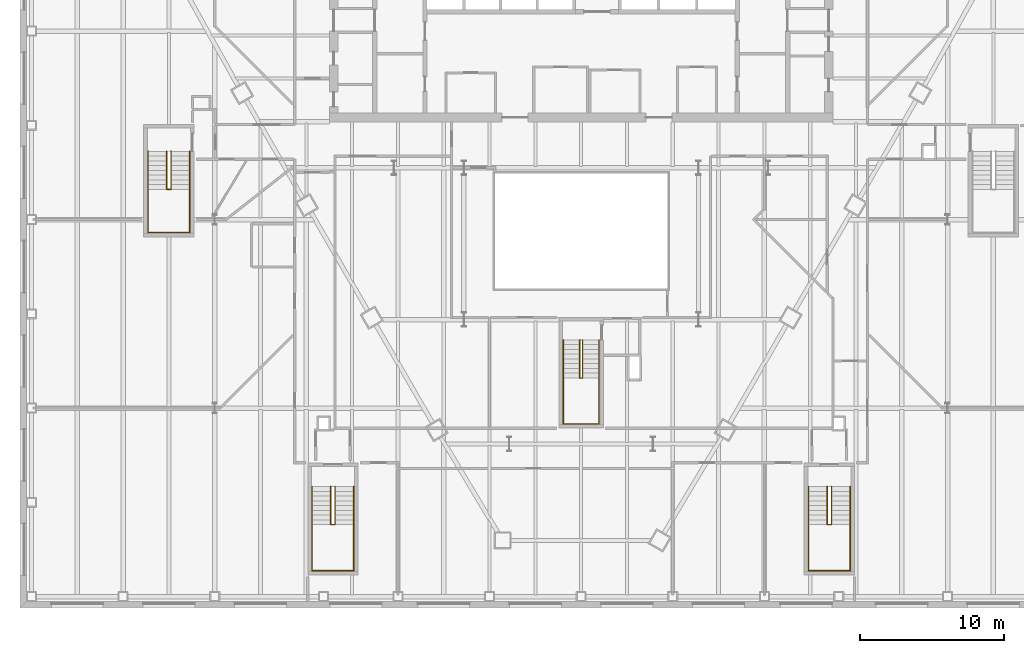
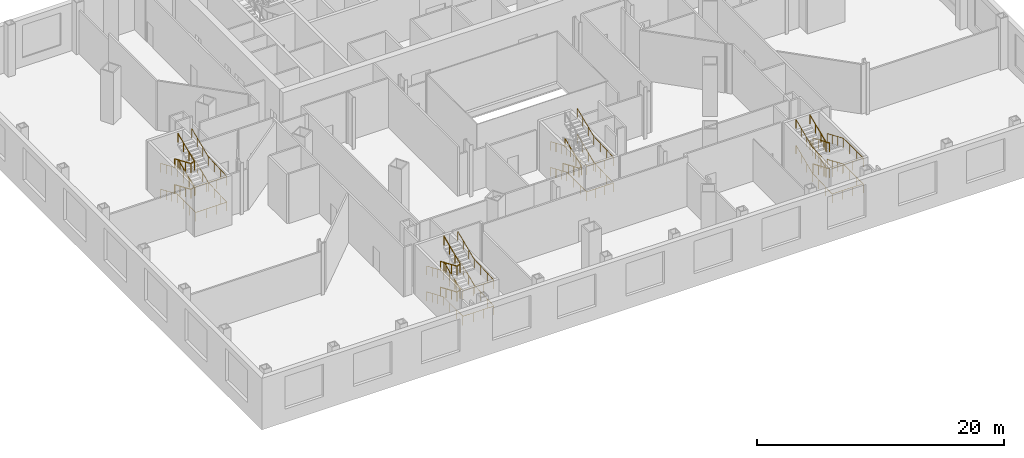
# One storey, part 20 of 21: 15 railings.
"""IFC4 building model written with IfcOpenShell, lengths in metres."""

from ifc_helpers import new_model, si_unit, direction, frame, origin, origin_2d, place, context, subcontext, project, spatial, circle, extrude, material, type_object, element, save


model = new_model("IFC4")

# Units and contexts
model_context = context("Model", 3, precision=1e-05, world=origin(), true_north=direction((0.0, 1.0)))
body_context = subcontext(model_context, "Body", "Model", "MODEL_VIEW")
ifc_project = project(units=[si_unit("LENGTHUNIT", "METRE"), si_unit("AREAUNIT", "SQUARE_METRE"), si_unit("VOLUMEUNIT", "CUBIC_METRE"), si_unit("PLANEANGLEUNIT", "RADIAN"), si_unit("MASSUNIT", "GRAM", prefix="KILO")], contexts=[model_context])

# Site, building, storey
site_placement = place(None, origin())
site = spatial("IfcSite", under=ifc_project, at=site_placement, CompositionType="ELEMENT")
building_placement = place(site_placement, origin())
building = spatial("IfcBuilding", under=site, at=building_placement, Name="Njiva Tower", CompositionType="ELEMENT")
storey_placement = place(building_placement, frame((0.0, 0.0, 13.5)))
storey = spatial("IfcBuildingStorey", under=building, at=storey_placement, Name="L02", CompositionType="ELEMENT", Elevation=13.5)

# Railings
ifc_material = material(Name="Stainless steel", Category="steel")
railing_type = type_object("IfcRailingType", Name="RL1 Stair handrail 900", PredefinedType="HANDRAIL", material=ifc_material)
railing_1_placement = place(storey_placement, frame((-1.25, -15.16, 0.1417)))
element("IfcRailing", 1, at=railing_1_placement, inside=storey, type_object=railing_type, Name="Stair C handrail", PredefinedType="HANDRAIL", context=body_context, shape_type="SweptSolid", body=[
    extrude(circle(Radius=0.024, at=origin_2d()), frame((0.0, 0.0, 0.876), z_axis=(0.0, -0.918909016762, 0.394469541173), x_axis=(1.0, 0.0, 0.0)), (0.0, 0.0, 1.0), 2.873),
    extrude(circle(Radius=0.024, at=origin_2d()), frame((0.0, -2.64, 2.0093), z_axis=(0.0, -1.0, 0.0), x_axis=(1.0, 0.0, 0.0)), (0.0, 0.0, 1.0), 3.2),
    extrude(circle(Radius=0.024, at=origin_2d()), frame((0.0, -5.84, 2.0093), z_axis=(1.0, 0.0, 0.0), x_axis=(0.0, 1.0, 0.0)), (0.0, 0.0, 1.0), 2.5),
    extrude(circle(Radius=0.024, at=origin_2d()), frame((2.5, -5.84, 2.0093), z_axis=(0.0, 0.999021024916, 0.04423789976), x_axis=(-1.0, 0.0, 0.0)), (0.0, 0.0, 1.0), 3.2031),
    extrude(circle(Radius=0.024, at=origin_2d()), frame((2.5, -2.64, 2.151), z_axis=(0.0, 0.918909016762, 0.394469541173), x_axis=(-1.0, 0.0, 0.0)), (0.0, 0.0, 1.0), 2.873),
    extrude(circle(Radius=0.021, at=origin_2d()), origin(), (0.0, 0.0, 1.0), 0.852),
    extrude(circle(Radius=0.021, at=origin_2d()), frame((0.0, -0.88, 0.3778)), (0.0, 0.0, 1.0), 0.852),
    extrude(circle(Radius=0.021, at=origin_2d()), frame((0.0, -1.76, 0.7555)), (0.0, 0.0, 1.0), 0.852),
    extrude(circle(Radius=0.021, at=origin_2d()), frame((0.0, -2.64, 1.1333)), (0.0, 0.0, 1.0), 0.852),
    extrude(circle(Radius=0.021, at=origin_2d()), frame((0.0, -3.7067, 1.1333)), (0.0, 0.0, 1.0), 0.852),
    extrude(circle(Radius=0.021, at=origin_2d()), frame((0.0, -4.7733, 1.1333)), (0.0, 0.0, 1.0), 0.852),
    extrude(circle(Radius=0.021, at=origin_2d()), frame((0.0, -5.84, 1.1333)), (0.0, 0.0, 1.0), 0.852),
    extrude(circle(Radius=0.021, at=origin_2d()), frame((0.8333, -5.84, 1.1333)), (0.0, 0.0, 1.0), 0.852),
    extrude(circle(Radius=0.021, at=origin_2d()), frame((1.6667, -5.84, 1.1333)), (0.0, 0.0, 1.0), 0.852),
    extrude(circle(Radius=0.021, at=origin_2d()), frame((2.5, -5.84, 1.1333)), (0.0, 0.0, 1.0), 0.852),
    extrude(circle(Radius=0.021, at=origin_2d()), frame((2.5, -4.7733, 1.1805)), (0.0, 0.0, 1.0), 0.852),
    extrude(circle(Radius=0.021, at=origin_2d()), frame((2.5, -3.7067, 1.2278)), (0.0, 0.0, 1.0), 0.852),
    extrude(circle(Radius=0.021, at=origin_2d()), frame((2.5, -2.64, 1.275)), (0.0, 0.0, 1.0), 0.852),
    extrude(circle(Radius=0.021, at=origin_2d()), frame((2.5, -1.76, 1.6528)), (0.0, 0.0, 1.0), 0.852),
    extrude(circle(Radius=0.021, at=origin_2d()), frame((2.5, -0.88, 2.0305)), (0.0, 0.0, 1.0), 0.852),
    extrude(circle(Radius=0.021, at=origin_2d()), frame((2.5, 0.0, 2.4083)), (0.0, 0.0, 1.0), 0.852),
])
railing_2_placement = place(storey_placement, frame((-0.1, -15.16, 0.1417)))
element("IfcRailing", 2, at=railing_2_placement, inside=storey, type_object=railing_type, Name="Stair C handrail", PredefinedType="HANDRAIL", context=body_context, shape_type="SweptSolid", body=[
    extrude(circle(Radius=0.024, at=origin_2d()), frame((0.0, 0.0, 0.876), z_axis=(0.0, -0.918909016762, 0.394469541173), x_axis=(1.0, 0.0, 0.0)), (0.0, 0.0, 1.0), 2.873),
    extrude(circle(Radius=0.024, at=origin_2d()), frame((0.0, -2.64, 2.0093), z_axis=(0.815960331218, 0.0, 0.578107894668), x_axis=(0.0, 1.0, 0.0)), (0.0, 0.0, 1.0), 0.2451),
    extrude(circle(Radius=0.024, at=origin_2d()), frame((0.2, -2.64, 2.151), z_axis=(0.0, 0.918909016762, 0.394469541173), x_axis=(-1.0, 0.0, 0.0)), (0.0, 0.0, 1.0), 2.873),
    extrude(circle(Radius=0.021, at=origin_2d()), origin(), (0.0, 0.0, 1.0), 0.852),
    extrude(circle(Radius=0.021, at=origin_2d()), frame((0.0, -0.88, 0.3778)), (0.0, 0.0, 1.0), 0.852),
    extrude(circle(Radius=0.021, at=origin_2d()), frame((0.0, -1.76, 0.7555)), (0.0, 0.0, 1.0), 0.852),
    extrude(circle(Radius=0.021, at=origin_2d()), frame((0.0, -2.64, 1.1333)), (0.0, 0.0, 1.0), 0.852),
    extrude(circle(Radius=0.021, at=origin_2d()), frame((0.2, -2.64, 1.275)), (0.0, 0.0, 1.0), 0.852),
    extrude(circle(Radius=0.021, at=origin_2d()), frame((0.2, -1.76, 1.6528)), (0.0, 0.0, 1.0), 0.852),
    extrude(circle(Radius=0.021, at=origin_2d()), frame((0.2, -0.88, 2.0305)), (0.0, 0.0, 1.0), 0.852),
    extrude(circle(Radius=0.021, at=origin_2d()), frame((0.2, 0.0, 2.4083)), (0.0, 0.0, 1.0), 0.852),
])
railing_3_placement = place(storey_placement, frame((-1.25, -15.16, 2.6917)))
element("IfcRailing", 3, at=railing_3_placement, inside=storey, type_object=railing_type, Name="Stair C handrail", PredefinedType="HANDRAIL", context=body_context, shape_type="SweptSolid", body=[
    extrude(circle(Radius=0.024, at=origin_2d()), frame((0.0, 0.0, 0.876), z_axis=(0.0, -0.918909016762, 0.394469541173), x_axis=(1.0, 0.0, 0.0)), (0.0, 0.0, 1.0), 2.873),
    extrude(circle(Radius=0.024, at=origin_2d()), frame((0.0, -2.64, 2.0093), z_axis=(0.0, -1.0, 0.0), x_axis=(1.0, 0.0, 0.0)), (0.0, 0.0, 1.0), 3.2),
    extrude(circle(Radius=0.024, at=origin_2d()), frame((0.0, -5.84, 2.0093), z_axis=(1.0, 0.0, 0.0), x_axis=(0.0, 1.0, 0.0)), (0.0, 0.0, 1.0), 2.5),
    extrude(circle(Radius=0.024, at=origin_2d()), frame((2.5, -5.84, 2.0093), z_axis=(0.0, 0.999021024916, 0.04423789976), x_axis=(-1.0, 0.0, 0.0)), (0.0, 0.0, 1.0), 3.2031),
    extrude(circle(Radius=0.024, at=origin_2d()), frame((2.5, -2.64, 2.151), z_axis=(0.0, 0.918909016762, 0.394469541173), x_axis=(-1.0, 0.0, 0.0)), (0.0, 0.0, 1.0), 2.873),
    extrude(circle(Radius=0.021, at=origin_2d()), origin(), (0.0, 0.0, 1.0), 0.852),
    extrude(circle(Radius=0.021, at=origin_2d()), frame((0.0, -0.88, 0.3778)), (0.0, 0.0, 1.0), 0.852),
    extrude(circle(Radius=0.021, at=origin_2d()), frame((0.0, -1.76, 0.7555)), (0.0, 0.0, 1.0), 0.852),
    extrude(circle(Radius=0.021, at=origin_2d()), frame((0.0, -2.64, 1.1333)), (0.0, 0.0, 1.0), 0.852),
    extrude(circle(Radius=0.021, at=origin_2d()), frame((0.0, -3.7067, 1.1333)), (0.0, 0.0, 1.0), 0.852),
    extrude(circle(Radius=0.021, at=origin_2d()), frame((0.0, -4.7733, 1.1333)), (0.0, 0.0, 1.0), 0.852),
    extrude(circle(Radius=0.021, at=origin_2d()), frame((0.0, -5.84, 1.1333)), (0.0, 0.0, 1.0), 0.852),
    extrude(circle(Radius=0.021, at=origin_2d()), frame((0.8333, -5.84, 1.1333)), (0.0, 0.0, 1.0), 0.852),
    extrude(circle(Radius=0.021, at=origin_2d()), frame((1.6667, -5.84, 1.1333)), (0.0, 0.0, 1.0), 0.852),
    extrude(circle(Radius=0.021, at=origin_2d()), frame((2.5, -5.84, 1.1333)), (0.0, 0.0, 1.0), 0.852),
    extrude(circle(Radius=0.021, at=origin_2d()), frame((2.5, -4.7733, 1.1805)), (0.0, 0.0, 1.0), 0.852),
    extrude(circle(Radius=0.021, at=origin_2d()), frame((2.5, -3.7067, 1.2278)), (0.0, 0.0, 1.0), 0.852),
    extrude(circle(Radius=0.021, at=origin_2d()), frame((2.5, -2.64, 1.275)), (0.0, 0.0, 1.0), 0.852),
    extrude(circle(Radius=0.021, at=origin_2d()), frame((2.5, -1.76, 1.6528)), (0.0, 0.0, 1.0), 0.852),
    extrude(circle(Radius=0.021, at=origin_2d()), frame((2.5, -0.88, 2.0305)), (0.0, 0.0, 1.0), 0.852),
    extrude(circle(Radius=0.021, at=origin_2d()), frame((2.5, 0.0, 2.4083)), (0.0, 0.0, 1.0), 0.852),
])
railing_4_placement = place(storey_placement, frame((-18.7, -25.35, 0.1417)))
element("IfcRailing", 4, at=railing_4_placement, inside=storey, type_object=railing_type, Name="Stair D handrail", PredefinedType="HANDRAIL", context=body_context, shape_type="SweptSolid", body=[
    extrude(circle(Radius=0.024, at=origin_2d()), frame((0.0, 0.0, 0.876), z_axis=(0.0, -0.918909016762, 0.394469541173), x_axis=(1.0, 0.0, 0.0)), (0.0, 0.0, 1.0), 2.873),
    extrude(circle(Radius=0.024, at=origin_2d()), frame((0.0, -2.64, 2.0093), z_axis=(0.0, -1.0, 0.0), x_axis=(1.0, 0.0, 0.0)), (0.0, 0.0, 1.0), 3.21),
    extrude(circle(Radius=0.024, at=origin_2d()), frame((0.0, -5.85, 2.0093), z_axis=(1.0, 0.0, 0.0), x_axis=(0.0, 1.0, 0.0)), (0.0, 0.0, 1.0), 2.9),
    extrude(circle(Radius=0.024, at=origin_2d()), frame((2.9, -5.85, 2.0093), z_axis=(0.0, 0.999027106064, 0.04410035543), x_axis=(-1.0, 0.0, 0.0)), (0.0, 0.0, 1.0), 3.2131),
    extrude(circle(Radius=0.024, at=origin_2d()), frame((2.9, -2.64, 2.151), z_axis=(0.0, 0.918909016762, 0.394469541173), x_axis=(-1.0, 0.0, 0.0)), (0.0, 0.0, 1.0), 2.873),
    extrude(circle(Radius=0.021, at=origin_2d()), origin(), (0.0, 0.0, 1.0), 0.852),
    extrude(circle(Radius=0.021, at=origin_2d()), frame((0.0, -0.88, 0.3778)), (0.0, 0.0, 1.0), 0.852),
    extrude(circle(Radius=0.021, at=origin_2d()), frame((0.0, -1.76, 0.7555)), (0.0, 0.0, 1.0), 0.852),
    extrude(circle(Radius=0.021, at=origin_2d()), frame((0.0, -2.64, 1.1333)), (0.0, 0.0, 1.0), 0.852),
    extrude(circle(Radius=0.021, at=origin_2d()), frame((0.0, -3.71, 1.1333)), (0.0, 0.0, 1.0), 0.852),
    extrude(circle(Radius=0.021, at=origin_2d()), frame((0.0, -4.78, 1.1333)), (0.0, 0.0, 1.0), 0.852),
    extrude(circle(Radius=0.021, at=origin_2d()), frame((0.0, -5.85, 1.1333)), (0.0, 0.0, 1.0), 0.852),
    extrude(circle(Radius=0.021, at=origin_2d()), frame((0.9667, -5.85, 1.1333)), (0.0, 0.0, 1.0), 0.852),
    extrude(circle(Radius=0.021, at=origin_2d()), frame((1.9333, -5.85, 1.1333)), (0.0, 0.0, 1.0), 0.852),
    extrude(circle(Radius=0.021, at=origin_2d()), frame((2.9, -5.85, 1.1333)), (0.0, 0.0, 1.0), 0.852),
    extrude(circle(Radius=0.021, at=origin_2d()), frame((2.9, -4.78, 1.1805)), (0.0, 0.0, 1.0), 0.852),
    extrude(circle(Radius=0.021, at=origin_2d()), frame((2.9, -3.71, 1.2278)), (0.0, 0.0, 1.0), 0.852),
    extrude(circle(Radius=0.021, at=origin_2d()), frame((2.9, -2.64, 1.275)), (0.0, 0.0, 1.0), 0.852),
    extrude(circle(Radius=0.021, at=origin_2d()), frame((2.9, -1.76, 1.6528)), (0.0, 0.0, 1.0), 0.852),
    extrude(circle(Radius=0.021, at=origin_2d()), frame((2.9, -0.88, 2.0305)), (0.0, 0.0, 1.0), 0.852),
    extrude(circle(Radius=0.021, at=origin_2d()), frame((2.9, 0.0, 2.4083)), (0.0, 0.0, 1.0), 0.852),
])
railing_5_placement = place(storey_placement, frame((-17.4, -25.35, 0.1417)))
element("IfcRailing", 5, at=railing_5_placement, inside=storey, type_object=railing_type, Name="Stair D handrail", PredefinedType="HANDRAIL", context=body_context, shape_type="SweptSolid", body=[
    extrude(circle(Radius=0.024, at=origin_2d()), frame((0.0, 0.0, 0.876), z_axis=(0.0, -0.918909016762, 0.394469541173), x_axis=(1.0, 0.0, 0.0)), (0.0, 0.0, 1.0), 2.873),
    extrude(circle(Radius=0.024, at=origin_2d()), frame((0.0, -2.64, 2.0093), z_axis=(0.904209850415, 0.0, 0.427088452679), x_axis=(0.0, 1.0, 0.0)), (0.0, 0.0, 1.0), 0.3318),
    extrude(circle(Radius=0.024, at=origin_2d()), frame((0.3, -2.64, 2.151), z_axis=(0.0, 0.918909016762, 0.394469541173), x_axis=(-1.0, 0.0, 0.0)), (0.0, 0.0, 1.0), 2.873),
    extrude(circle(Radius=0.021, at=origin_2d()), origin(), (0.0, 0.0, 1.0), 0.852),
    extrude(circle(Radius=0.021, at=origin_2d()), frame((0.0, -0.88, 0.3778)), (0.0, 0.0, 1.0), 0.852),
    extrude(circle(Radius=0.021, at=origin_2d()), frame((0.0, -1.76, 0.7555)), (0.0, 0.0, 1.0), 0.852),
    extrude(circle(Radius=0.021, at=origin_2d()), frame((0.0, -2.64, 1.1333)), (0.0, 0.0, 1.0), 0.852),
    extrude(circle(Radius=0.021, at=origin_2d()), frame((0.3, -2.64, 1.275)), (0.0, 0.0, 1.0), 0.852),
    extrude(circle(Radius=0.021, at=origin_2d()), frame((0.3, -1.76, 1.6528)), (0.0, 0.0, 1.0), 0.852),
    extrude(circle(Radius=0.021, at=origin_2d()), frame((0.3, -0.88, 2.0305)), (0.0, 0.0, 1.0), 0.852),
    extrude(circle(Radius=0.021, at=origin_2d()), frame((0.3, 0.0, 2.4083)), (0.0, 0.0, 1.0), 0.852),
])
railing_6_placement = place(storey_placement, frame((-18.7, -25.35, 2.6917)))
element("IfcRailing", 6, at=railing_6_placement, inside=storey, type_object=railing_type, Name="Stair D handrail", PredefinedType="HANDRAIL", context=body_context, shape_type="SweptSolid", body=[
    extrude(circle(Radius=0.024, at=origin_2d()), frame((0.0, 0.0, 0.876), z_axis=(0.0, -0.918909016762, 0.394469541173), x_axis=(1.0, 0.0, 0.0)), (0.0, 0.0, 1.0), 2.873),
    extrude(circle(Radius=0.024, at=origin_2d()), frame((0.0, -2.64, 2.0093), z_axis=(0.0, -1.0, 0.0), x_axis=(1.0, 0.0, 0.0)), (0.0, 0.0, 1.0), 3.21),
    extrude(circle(Radius=0.024, at=origin_2d()), frame((0.0, -5.85, 2.0093), z_axis=(1.0, 0.0, 0.0), x_axis=(0.0, 1.0, 0.0)), (0.0, 0.0, 1.0), 2.9),
    extrude(circle(Radius=0.024, at=origin_2d()), frame((2.9, -5.85, 2.0093), z_axis=(0.0, 0.999027106064, 0.04410035543), x_axis=(-1.0, 0.0, 0.0)), (0.0, 0.0, 1.0), 3.2131),
    extrude(circle(Radius=0.024, at=origin_2d()), frame((2.9, -2.64, 2.151), z_axis=(0.0, 0.918909016762, 0.394469541173), x_axis=(-1.0, 0.0, 0.0)), (0.0, 0.0, 1.0), 2.873),
    extrude(circle(Radius=0.021, at=origin_2d()), origin(), (0.0, 0.0, 1.0), 0.852),
    extrude(circle(Radius=0.021, at=origin_2d()), frame((0.0, -0.88, 0.3778)), (0.0, 0.0, 1.0), 0.852),
    extrude(circle(Radius=0.021, at=origin_2d()), frame((0.0, -1.76, 0.7555)), (0.0, 0.0, 1.0), 0.852),
    extrude(circle(Radius=0.021, at=origin_2d()), frame((0.0, -2.64, 1.1333)), (0.0, 0.0, 1.0), 0.852),
    extrude(circle(Radius=0.021, at=origin_2d()), frame((0.0, -3.71, 1.1333)), (0.0, 0.0, 1.0), 0.852),
    extrude(circle(Radius=0.021, at=origin_2d()), frame((0.0, -4.78, 1.1333)), (0.0, 0.0, 1.0), 0.852),
    extrude(circle(Radius=0.021, at=origin_2d()), frame((0.0, -5.85, 1.1333)), (0.0, 0.0, 1.0), 0.852),
    extrude(circle(Radius=0.021, at=origin_2d()), frame((0.9667, -5.85, 1.1333)), (0.0, 0.0, 1.0), 0.852),
    extrude(circle(Radius=0.021, at=origin_2d()), frame((1.9333, -5.85, 1.1333)), (0.0, 0.0, 1.0), 0.852),
    extrude(circle(Radius=0.021, at=origin_2d()), frame((2.9, -5.85, 1.1333)), (0.0, 0.0, 1.0), 0.852),
    extrude(circle(Radius=0.021, at=origin_2d()), frame((2.9, -4.78, 1.1805)), (0.0, 0.0, 1.0), 0.852),
    extrude(circle(Radius=0.021, at=origin_2d()), frame((2.9, -3.71, 1.2278)), (0.0, 0.0, 1.0), 0.852),
    extrude(circle(Radius=0.021, at=origin_2d()), frame((2.9, -2.64, 1.275)), (0.0, 0.0, 1.0), 0.852),
    extrude(circle(Radius=0.021, at=origin_2d()), frame((2.9, -1.76, 1.6528)), (0.0, 0.0, 1.0), 0.852),
    extrude(circle(Radius=0.021, at=origin_2d()), frame((2.9, -0.88, 2.0305)), (0.0, 0.0, 1.0), 0.852),
    extrude(circle(Radius=0.021, at=origin_2d()), frame((2.9, 0.0, 2.4083)), (0.0, 0.0, 1.0), 0.852),
])
railing_7_placement = place(storey_placement, frame((-17.4, -25.35, 2.6917)))
element("IfcRailing", 7, at=railing_7_placement, inside=storey, type_object=railing_type, Name="Stair D handrail", PredefinedType="HANDRAIL", context=body_context, shape_type="SweptSolid", body=[
    extrude(circle(Radius=0.024, at=origin_2d()), frame((0.0, 0.0, 0.876), z_axis=(0.0, -0.918909016762, 0.394469541173), x_axis=(1.0, 0.0, 0.0)), (0.0, 0.0, 1.0), 2.873),
    extrude(circle(Radius=0.024, at=origin_2d()), frame((0.0, -2.64, 2.0093), z_axis=(0.904209850415, 0.0, 0.427088452679), x_axis=(0.0, 1.0, 0.0)), (0.0, 0.0, 1.0), 0.3318),
    extrude(circle(Radius=0.024, at=origin_2d()), frame((0.3, -2.64, 2.151), z_axis=(0.0, 0.918909016762, 0.394469541173), x_axis=(-1.0, 0.0, 0.0)), (0.0, 0.0, 1.0), 2.873),
    extrude(circle(Radius=0.021, at=origin_2d()), origin(), (0.0, 0.0, 1.0), 0.852),
    extrude(circle(Radius=0.021, at=origin_2d()), frame((0.0, -0.88, 0.3778)), (0.0, 0.0, 1.0), 0.852),
    extrude(circle(Radius=0.021, at=origin_2d()), frame((0.0, -1.76, 0.7555)), (0.0, 0.0, 1.0), 0.852),
    extrude(circle(Radius=0.021, at=origin_2d()), frame((0.0, -2.64, 1.1333)), (0.0, 0.0, 1.0), 0.852),
    extrude(circle(Radius=0.021, at=origin_2d()), frame((0.3, -2.64, 1.275)), (0.0, 0.0, 1.0), 0.852),
    extrude(circle(Radius=0.021, at=origin_2d()), frame((0.3, -1.76, 1.6528)), (0.0, 0.0, 1.0), 0.852),
    extrude(circle(Radius=0.021, at=origin_2d()), frame((0.3, -0.88, 2.0305)), (0.0, 0.0, 1.0), 0.852),
    extrude(circle(Radius=0.021, at=origin_2d()), frame((0.3, 0.0, 2.4083)), (0.0, 0.0, 1.0), 0.852),
])
railing_8_placement = place(storey_placement, frame((18.7, -25.35, 0.1417)))
element("IfcRailing", 8, at=railing_8_placement, inside=storey, type_object=railing_type, Name="Stair E handrail", PredefinedType="HANDRAIL", context=body_context, shape_type="SweptSolid", body=[
    extrude(circle(Radius=0.024, at=origin_2d()), frame((0.0, 0.0, 0.876), z_axis=(0.0, -0.918909016762, 0.394469541173), x_axis=(1.0, 0.0, 0.0)), (0.0, 0.0, 1.0), 2.873),
    extrude(circle(Radius=0.024, at=origin_2d()), frame((0.0, -2.64, 2.0093), z_axis=(0.0, -1.0, 0.0), x_axis=(1.0, 0.0, 0.0)), (0.0, 0.0, 1.0), 3.21),
    extrude(circle(Radius=0.024, at=origin_2d()), frame((0.0, -5.85, 2.0093), z_axis=(-1.0, 0.0, 0.0), x_axis=(0.0, -1.0, 0.0)), (0.0, 0.0, 1.0), 2.9),
    extrude(circle(Radius=0.024, at=origin_2d()), frame((-2.9, -5.85, 2.0093), z_axis=(0.0, 0.999027106064, 0.04410035543), x_axis=(-1.0, 0.0, 0.0)), (0.0, 0.0, 1.0), 3.2131),
    extrude(circle(Radius=0.024, at=origin_2d()), frame((-2.9, -2.64, 2.151), z_axis=(0.0, 0.918909016762, 0.394469541173), x_axis=(-1.0, 0.0, 0.0)), (0.0, 0.0, 1.0), 2.873),
    extrude(circle(Radius=0.021, at=origin_2d()), origin(), (0.0, 0.0, 1.0), 0.852),
    extrude(circle(Radius=0.021, at=origin_2d()), frame((0.0, -0.88, 0.3778)), (0.0, 0.0, 1.0), 0.852),
    extrude(circle(Radius=0.021, at=origin_2d()), frame((0.0, -1.76, 0.7555)), (0.0, 0.0, 1.0), 0.852),
    extrude(circle(Radius=0.021, at=origin_2d()), frame((0.0, -2.64, 1.1333)), (0.0, 0.0, 1.0), 0.852),
    extrude(circle(Radius=0.021, at=origin_2d()), frame((0.0, -3.71, 1.1333)), (0.0, 0.0, 1.0), 0.852),
    extrude(circle(Radius=0.021, at=origin_2d()), frame((0.0, -4.78, 1.1333)), (0.0, 0.0, 1.0), 0.852),
    extrude(circle(Radius=0.021, at=origin_2d()), frame((0.0, -5.85, 1.1333)), (0.0, 0.0, 1.0), 0.852),
    extrude(circle(Radius=0.021, at=origin_2d()), frame((-0.9667, -5.85, 1.1333)), (0.0, 0.0, 1.0), 0.852),
    extrude(circle(Radius=0.021, at=origin_2d()), frame((-1.9333, -5.85, 1.1333)), (0.0, 0.0, 1.0), 0.852),
    extrude(circle(Radius=0.021, at=origin_2d()), frame((-2.9, -5.85, 1.1333)), (0.0, 0.0, 1.0), 0.852),
    extrude(circle(Radius=0.021, at=origin_2d()), frame((-2.9, -4.78, 1.1805)), (0.0, 0.0, 1.0), 0.852),
    extrude(circle(Radius=0.021, at=origin_2d()), frame((-2.9, -3.71, 1.2278)), (0.0, 0.0, 1.0), 0.852),
    extrude(circle(Radius=0.021, at=origin_2d()), frame((-2.9, -2.64, 1.275)), (0.0, 0.0, 1.0), 0.852),
    extrude(circle(Radius=0.021, at=origin_2d()), frame((-2.9, -1.76, 1.6528)), (0.0, 0.0, 1.0), 0.852),
    extrude(circle(Radius=0.021, at=origin_2d()), frame((-2.9, -0.88, 2.0305)), (0.0, 0.0, 1.0), 0.852),
    extrude(circle(Radius=0.021, at=origin_2d()), frame((-2.9, 0.0, 2.4083)), (0.0, 0.0, 1.0), 0.852),
])
railing_9_placement = place(storey_placement, frame((17.4, -25.35, 0.1417)))
element("IfcRailing", 9, at=railing_9_placement, inside=storey, type_object=railing_type, Name="Stair E handrail", PredefinedType="HANDRAIL", context=body_context, shape_type="SweptSolid", body=[
    extrude(circle(Radius=0.024, at=origin_2d()), frame((0.0, 0.0, 0.876), z_axis=(0.0, -0.918909016762, 0.394469541173), x_axis=(1.0, 0.0, 0.0)), (0.0, 0.0, 1.0), 2.873),
    extrude(circle(Radius=0.024, at=origin_2d()), frame((0.0, -2.64, 2.0093), z_axis=(-0.904209850415, 0.0, 0.427088452679), x_axis=(0.0, -1.0, 0.0)), (0.0, 0.0, 1.0), 0.3318),
    extrude(circle(Radius=0.024, at=origin_2d()), frame((-0.3, -2.64, 2.151), z_axis=(0.0, 0.918909016762, 0.394469541173), x_axis=(-1.0, 0.0, 0.0)), (0.0, 0.0, 1.0), 2.873),
    extrude(circle(Radius=0.021, at=origin_2d()), origin(), (0.0, 0.0, 1.0), 0.852),
    extrude(circle(Radius=0.021, at=origin_2d()), frame((0.0, -0.88, 0.3778)), (0.0, 0.0, 1.0), 0.852),
    extrude(circle(Radius=0.021, at=origin_2d()), frame((0.0, -1.76, 0.7555)), (0.0, 0.0, 1.0), 0.852),
    extrude(circle(Radius=0.021, at=origin_2d()), frame((0.0, -2.64, 1.1333)), (0.0, 0.0, 1.0), 0.852),
    extrude(circle(Radius=0.021, at=origin_2d()), frame((-0.3, -2.64, 1.275)), (0.0, 0.0, 1.0), 0.852),
    extrude(circle(Radius=0.021, at=origin_2d()), frame((-0.3, -1.76, 1.6528)), (0.0, 0.0, 1.0), 0.852),
    extrude(circle(Radius=0.021, at=origin_2d()), frame((-0.3, -0.88, 2.0305)), (0.0, 0.0, 1.0), 0.852),
    extrude(circle(Radius=0.021, at=origin_2d()), frame((-0.3, 0.0, 2.4083)), (0.0, 0.0, 1.0), 0.852),
])
railing_10_placement = place(storey_placement, frame((18.7, -25.35, 2.6917)))
element("IfcRailing", 10, at=railing_10_placement, inside=storey, type_object=railing_type, Name="Stair E handrail", PredefinedType="HANDRAIL", context=body_context, shape_type="SweptSolid", body=[
    extrude(circle(Radius=0.024, at=origin_2d()), frame((0.0, 0.0, 0.876), z_axis=(0.0, -0.918909016762, 0.394469541173), x_axis=(1.0, 0.0, 0.0)), (0.0, 0.0, 1.0), 2.873),
    extrude(circle(Radius=0.024, at=origin_2d()), frame((0.0, -2.64, 2.0093), z_axis=(0.0, -1.0, 0.0), x_axis=(1.0, 0.0, 0.0)), (0.0, 0.0, 1.0), 3.21),
    extrude(circle(Radius=0.024, at=origin_2d()), frame((0.0, -5.85, 2.0093), z_axis=(-1.0, 0.0, 0.0), x_axis=(0.0, -1.0, 0.0)), (0.0, 0.0, 1.0), 2.9),
    extrude(circle(Radius=0.024, at=origin_2d()), frame((-2.9, -5.85, 2.0093), z_axis=(0.0, 0.999027106064, 0.04410035543), x_axis=(-1.0, 0.0, 0.0)), (0.0, 0.0, 1.0), 3.2131),
    extrude(circle(Radius=0.024, at=origin_2d()), frame((-2.9, -2.64, 2.151), z_axis=(0.0, 0.918909016762, 0.394469541173), x_axis=(-1.0, 0.0, 0.0)), (0.0, 0.0, 1.0), 2.873),
    extrude(circle(Radius=0.021, at=origin_2d()), origin(), (0.0, 0.0, 1.0), 0.852),
    extrude(circle(Radius=0.021, at=origin_2d()), frame((0.0, -0.88, 0.3778)), (0.0, 0.0, 1.0), 0.852),
    extrude(circle(Radius=0.021, at=origin_2d()), frame((0.0, -1.76, 0.7555)), (0.0, 0.0, 1.0), 0.852),
    extrude(circle(Radius=0.021, at=origin_2d()), frame((0.0, -2.64, 1.1333)), (0.0, 0.0, 1.0), 0.852),
    extrude(circle(Radius=0.021, at=origin_2d()), frame((0.0, -3.71, 1.1333)), (0.0, 0.0, 1.0), 0.852),
    extrude(circle(Radius=0.021, at=origin_2d()), frame((0.0, -4.78, 1.1333)), (0.0, 0.0, 1.0), 0.852),
    extrude(circle(Radius=0.021, at=origin_2d()), frame((0.0, -5.85, 1.1333)), (0.0, 0.0, 1.0), 0.852),
    extrude(circle(Radius=0.021, at=origin_2d()), frame((-0.9667, -5.85, 1.1333)), (0.0, 0.0, 1.0), 0.852),
    extrude(circle(Radius=0.021, at=origin_2d()), frame((-1.9333, -5.85, 1.1333)), (0.0, 0.0, 1.0), 0.852),
    extrude(circle(Radius=0.021, at=origin_2d()), frame((-2.9, -5.85, 1.1333)), (0.0, 0.0, 1.0), 0.852),
    extrude(circle(Radius=0.021, at=origin_2d()), frame((-2.9, -4.78, 1.1805)), (0.0, 0.0, 1.0), 0.852),
    extrude(circle(Radius=0.021, at=origin_2d()), frame((-2.9, -3.71, 1.2278)), (0.0, 0.0, 1.0), 0.852),
    extrude(circle(Radius=0.021, at=origin_2d()), frame((-2.9, -2.64, 1.275)), (0.0, 0.0, 1.0), 0.852),
    extrude(circle(Radius=0.021, at=origin_2d()), frame((-2.9, -1.76, 1.6528)), (0.0, 0.0, 1.0), 0.852),
    extrude(circle(Radius=0.021, at=origin_2d()), frame((-2.9, -0.88, 2.0305)), (0.0, 0.0, 1.0), 0.852),
    extrude(circle(Radius=0.021, at=origin_2d()), frame((-2.9, 0.0, 2.4083)), (0.0, 0.0, 1.0), 0.852),
])
railing_11_placement = place(storey_placement, frame((17.4, -25.35, 2.6917)))
element("IfcRailing", 11, at=railing_11_placement, inside=storey, type_object=railing_type, Name="Stair E handrail", PredefinedType="HANDRAIL", context=body_context, shape_type="SweptSolid", body=[
    extrude(circle(Radius=0.024, at=origin_2d()), frame((0.0, 0.0, 0.876), z_axis=(0.0, -0.918909016762, 0.394469541173), x_axis=(1.0, 0.0, 0.0)), (0.0, 0.0, 1.0), 2.873),
    extrude(circle(Radius=0.024, at=origin_2d()), frame((0.0, -2.64, 2.0093), z_axis=(-0.904209850415, 0.0, 0.427088452679), x_axis=(0.0, -1.0, 0.0)), (0.0, 0.0, 1.0), 0.3318),
    extrude(circle(Radius=0.024, at=origin_2d()), frame((-0.3, -2.64, 2.151), z_axis=(0.0, 0.918909016762, 0.394469541173), x_axis=(-1.0, 0.0, 0.0)), (0.0, 0.0, 1.0), 2.873),
    extrude(circle(Radius=0.021, at=origin_2d()), origin(), (0.0, 0.0, 1.0), 0.852),
    extrude(circle(Radius=0.021, at=origin_2d()), frame((0.0, -0.88, 0.3778)), (0.0, 0.0, 1.0), 0.852),
    extrude(circle(Radius=0.021, at=origin_2d()), frame((0.0, -1.76, 0.7555)), (0.0, 0.0, 1.0), 0.852),
    extrude(circle(Radius=0.021, at=origin_2d()), frame((0.0, -2.64, 1.1333)), (0.0, 0.0, 1.0), 0.852),
    extrude(circle(Radius=0.021, at=origin_2d()), frame((-0.3, -2.64, 1.275)), (0.0, 0.0, 1.0), 0.852),
    extrude(circle(Radius=0.021, at=origin_2d()), frame((-0.3, -1.76, 1.6528)), (0.0, 0.0, 1.0), 0.852),
    extrude(circle(Radius=0.021, at=origin_2d()), frame((-0.3, -0.88, 2.0305)), (0.0, 0.0, 1.0), 0.852),
    extrude(circle(Radius=0.021, at=origin_2d()), frame((-0.3, 0.0, 2.4083)), (0.0, 0.0, 1.0), 0.852),
])
railing_12_placement = place(storey_placement, frame((-30.1, -2.05, 0.1417)))
element("IfcRailing", 12, at=railing_12_placement, inside=storey, type_object=railing_type, Name="Stair F handrail", PredefinedType="HANDRAIL", context=body_context, shape_type="SweptSolid", body=[
    extrude(circle(Radius=0.024, at=origin_2d()), frame((0.0, 0.0, 0.876), z_axis=(0.0, -0.918909016762, 0.394469541173), x_axis=(1.0, 0.0, 0.0)), (0.0, 0.0, 1.0), 2.873),
    extrude(circle(Radius=0.024, at=origin_2d()), frame((0.0, -2.64, 2.0093), z_axis=(0.0, -1.0, 0.0), x_axis=(1.0, 0.0, 0.0)), (0.0, 0.0, 1.0), 3.01),
    extrude(circle(Radius=0.024, at=origin_2d()), frame((0.0, -5.65, 2.0093), z_axis=(1.0, 0.0, 0.0), x_axis=(0.0, 1.0, 0.0)), (0.0, 0.0, 1.0), 2.9),
    extrude(circle(Radius=0.024, at=origin_2d()), frame((2.9, -5.65, 2.0093), z_axis=(0.0, 0.998893744133, 0.047024333403), x_axis=(-1.0, 0.0, 0.0)), (0.0, 0.0, 1.0), 3.0133),
    extrude(circle(Radius=0.024, at=origin_2d()), frame((2.9, -2.64, 2.151), z_axis=(0.0, 0.918909016762, 0.394469541173), x_axis=(-1.0, 0.0, 0.0)), (0.0, 0.0, 1.0), 2.873),
    extrude(circle(Radius=0.021, at=origin_2d()), origin(), (0.0, 0.0, 1.0), 0.852),
    extrude(circle(Radius=0.021, at=origin_2d()), frame((0.0, -0.88, 0.3778)), (0.0, 0.0, 1.0), 0.852),
    extrude(circle(Radius=0.021, at=origin_2d()), frame((0.0, -1.76, 0.7555)), (0.0, 0.0, 1.0), 0.852),
    extrude(circle(Radius=0.021, at=origin_2d()), frame((0.0, -2.64, 1.1333)), (0.0, 0.0, 1.0), 0.852),
    extrude(circle(Radius=0.021, at=origin_2d()), frame((0.0, -3.6433, 1.1333)), (0.0, 0.0, 1.0), 0.852),
    extrude(circle(Radius=0.021, at=origin_2d()), frame((0.0, -4.6467, 1.1333)), (0.0, 0.0, 1.0), 0.852),
    extrude(circle(Radius=0.021, at=origin_2d()), frame((0.0, -5.65, 1.1333)), (0.0, 0.0, 1.0), 0.852),
    extrude(circle(Radius=0.021, at=origin_2d()), frame((0.9667, -5.65, 1.1333)), (0.0, 0.0, 1.0), 0.852),
    extrude(circle(Radius=0.021, at=origin_2d()), frame((1.9333, -5.65, 1.1333)), (0.0, 0.0, 1.0), 0.852),
    extrude(circle(Radius=0.021, at=origin_2d()), frame((2.9, -5.65, 1.1333)), (0.0, 0.0, 1.0), 0.852),
    extrude(circle(Radius=0.021, at=origin_2d()), frame((2.9, -4.6467, 1.1805)), (0.0, 0.0, 1.0), 0.852),
    extrude(circle(Radius=0.021, at=origin_2d()), frame((2.9, -3.6433, 1.2278)), (0.0, 0.0, 1.0), 0.852),
    extrude(circle(Radius=0.021, at=origin_2d()), frame((2.9, -2.64, 1.275)), (0.0, 0.0, 1.0), 0.852),
    extrude(circle(Radius=0.021, at=origin_2d()), frame((2.9, -1.76, 1.6528)), (0.0, 0.0, 1.0), 0.852),
    extrude(circle(Radius=0.021, at=origin_2d()), frame((2.9, -0.88, 2.0305)), (0.0, 0.0, 1.0), 0.852),
    extrude(circle(Radius=0.021, at=origin_2d()), frame((2.9, 0.0, 2.4083)), (0.0, 0.0, 1.0), 0.852),
])
railing_13_placement = place(storey_placement, frame((-28.8, -2.05, 0.1417)))
element("IfcRailing", 13, at=railing_13_placement, inside=storey, type_object=railing_type, Name="Stair F handrail", PredefinedType="HANDRAIL", context=body_context, shape_type="SweptSolid", body=[
    extrude(circle(Radius=0.024, at=origin_2d()), frame((0.0, 0.0, 0.876), z_axis=(0.0, -0.918909016762, 0.394469541173), x_axis=(1.0, 0.0, 0.0)), (0.0, 0.0, 1.0), 2.873),
    extrude(circle(Radius=0.024, at=origin_2d()), frame((0.0, -2.64, 2.0093), z_axis=(0.904209850415, 0.0, 0.427088452679), x_axis=(0.0, 1.0, 0.0)), (0.0, 0.0, 1.0), 0.3318),
    extrude(circle(Radius=0.024, at=origin_2d()), frame((0.3, -2.64, 2.151), z_axis=(0.0, 0.918909016762, 0.394469541173), x_axis=(-1.0, 0.0, 0.0)), (0.0, 0.0, 1.0), 2.873),
    extrude(circle(Radius=0.021, at=origin_2d()), origin(), (0.0, 0.0, 1.0), 0.852),
    extrude(circle(Radius=0.021, at=origin_2d()), frame((0.0, -0.88, 0.3778)), (0.0, 0.0, 1.0), 0.852),
    extrude(circle(Radius=0.021, at=origin_2d()), frame((0.0, -1.76, 0.7555)), (0.0, 0.0, 1.0), 0.852),
    extrude(circle(Radius=0.021, at=origin_2d()), frame((0.0, -2.64, 1.1333)), (0.0, 0.0, 1.0), 0.852),
    extrude(circle(Radius=0.021, at=origin_2d()), frame((0.3, -2.64, 1.275)), (0.0, 0.0, 1.0), 0.852),
    extrude(circle(Radius=0.021, at=origin_2d()), frame((0.3, -1.76, 1.6528)), (0.0, 0.0, 1.0), 0.852),
    extrude(circle(Radius=0.021, at=origin_2d()), frame((0.3, -0.88, 2.0305)), (0.0, 0.0, 1.0), 0.852),
    extrude(circle(Radius=0.021, at=origin_2d()), frame((0.3, 0.0, 2.4083)), (0.0, 0.0, 1.0), 0.852),
])
railing_14_placement = place(storey_placement, frame((-30.1, -2.05, 2.6917)))
element("IfcRailing", 14, at=railing_14_placement, inside=storey, type_object=railing_type, Name="Stair F handrail", PredefinedType="HANDRAIL", context=body_context, shape_type="SweptSolid", body=[
    extrude(circle(Radius=0.024, at=origin_2d()), frame((0.0, 0.0, 0.876), z_axis=(0.0, -0.918909016762, 0.394469541173), x_axis=(1.0, 0.0, 0.0)), (0.0, 0.0, 1.0), 2.873),
    extrude(circle(Radius=0.024, at=origin_2d()), frame((0.0, -2.64, 2.0093), z_axis=(0.0, -1.0, 0.0), x_axis=(1.0, 0.0, 0.0)), (0.0, 0.0, 1.0), 3.01),
    extrude(circle(Radius=0.024, at=origin_2d()), frame((0.0, -5.65, 2.0093), z_axis=(1.0, 0.0, 0.0), x_axis=(0.0, 1.0, 0.0)), (0.0, 0.0, 1.0), 2.9),
    extrude(circle(Radius=0.024, at=origin_2d()), frame((2.9, -5.65, 2.0093), z_axis=(0.0, 0.998893744133, 0.047024333403), x_axis=(-1.0, 0.0, 0.0)), (0.0, 0.0, 1.0), 3.0133),
    extrude(circle(Radius=0.024, at=origin_2d()), frame((2.9, -2.64, 2.151), z_axis=(0.0, 0.918909016762, 0.394469541173), x_axis=(-1.0, 0.0, 0.0)), (0.0, 0.0, 1.0), 2.873),
    extrude(circle(Radius=0.021, at=origin_2d()), origin(), (0.0, 0.0, 1.0), 0.852),
    extrude(circle(Radius=0.021, at=origin_2d()), frame((0.0, -0.88, 0.3778)), (0.0, 0.0, 1.0), 0.852),
    extrude(circle(Radius=0.021, at=origin_2d()), frame((0.0, -1.76, 0.7555)), (0.0, 0.0, 1.0), 0.852),
    extrude(circle(Radius=0.021, at=origin_2d()), frame((0.0, -2.64, 1.1333)), (0.0, 0.0, 1.0), 0.852),
    extrude(circle(Radius=0.021, at=origin_2d()), frame((0.0, -3.6433, 1.1333)), (0.0, 0.0, 1.0), 0.852),
    extrude(circle(Radius=0.021, at=origin_2d()), frame((0.0, -4.6467, 1.1333)), (0.0, 0.0, 1.0), 0.852),
    extrude(circle(Radius=0.021, at=origin_2d()), frame((0.0, -5.65, 1.1333)), (0.0, 0.0, 1.0), 0.852),
    extrude(circle(Radius=0.021, at=origin_2d()), frame((0.9667, -5.65, 1.1333)), (0.0, 0.0, 1.0), 0.852),
    extrude(circle(Radius=0.021, at=origin_2d()), frame((1.9333, -5.65, 1.1333)), (0.0, 0.0, 1.0), 0.852),
    extrude(circle(Radius=0.021, at=origin_2d()), frame((2.9, -5.65, 1.1333)), (0.0, 0.0, 1.0), 0.852),
    extrude(circle(Radius=0.021, at=origin_2d()), frame((2.9, -4.6467, 1.1805)), (0.0, 0.0, 1.0), 0.852),
    extrude(circle(Radius=0.021, at=origin_2d()), frame((2.9, -3.6433, 1.2278)), (0.0, 0.0, 1.0), 0.852),
    extrude(circle(Radius=0.021, at=origin_2d()), frame((2.9, -2.64, 1.275)), (0.0, 0.0, 1.0), 0.852),
    extrude(circle(Radius=0.021, at=origin_2d()), frame((2.9, -1.76, 1.6528)), (0.0, 0.0, 1.0), 0.852),
    extrude(circle(Radius=0.021, at=origin_2d()), frame((2.9, -0.88, 2.0305)), (0.0, 0.0, 1.0), 0.852),
    extrude(circle(Radius=0.021, at=origin_2d()), frame((2.9, 0.0, 2.4083)), (0.0, 0.0, 1.0), 0.852),
])
railing_15_placement = place(storey_placement, frame((-28.8, -2.05, 2.6917)))
element("IfcRailing", 15, at=railing_15_placement, inside=storey, type_object=railing_type, Name="Stair F handrail", PredefinedType="HANDRAIL", context=body_context, shape_type="SweptSolid", body=[
    extrude(circle(Radius=0.024, at=origin_2d()), frame((0.0, 0.0, 0.876), z_axis=(0.0, -0.918909016762, 0.394469541173), x_axis=(1.0, 0.0, 0.0)), (0.0, 0.0, 1.0), 2.873),
    extrude(circle(Radius=0.024, at=origin_2d()), frame((0.0, -2.64, 2.0093), z_axis=(0.904209850415, 0.0, 0.427088452679), x_axis=(0.0, 1.0, 0.0)), (0.0, 0.0, 1.0), 0.3318),
    extrude(circle(Radius=0.024, at=origin_2d()), frame((0.3, -2.64, 2.151), z_axis=(0.0, 0.918909016762, 0.394469541173), x_axis=(-1.0, 0.0, 0.0)), (0.0, 0.0, 1.0), 2.873),
    extrude(circle(Radius=0.021, at=origin_2d()), origin(), (0.0, 0.0, 1.0), 0.852),
    extrude(circle(Radius=0.021, at=origin_2d()), frame((0.0, -0.88, 0.3778)), (0.0, 0.0, 1.0), 0.852),
    extrude(circle(Radius=0.021, at=origin_2d()), frame((0.0, -1.76, 0.7555)), (0.0, 0.0, 1.0), 0.852),
    extrude(circle(Radius=0.021, at=origin_2d()), frame((0.0, -2.64, 1.1333)), (0.0, 0.0, 1.0), 0.852),
    extrude(circle(Radius=0.021, at=origin_2d()), frame((0.3, -2.64, 1.275)), (0.0, 0.0, 1.0), 0.852),
    extrude(circle(Radius=0.021, at=origin_2d()), frame((0.3, -1.76, 1.6528)), (0.0, 0.0, 1.0), 0.852),
    extrude(circle(Radius=0.021, at=origin_2d()), frame((0.3, -0.88, 2.0305)), (0.0, 0.0, 1.0), 0.852),
    extrude(circle(Radius=0.021, at=origin_2d()), frame((0.3, 0.0, 2.4083)), (0.0, 0.0, 1.0), 0.852),
])

save(model, "model.ifc")
